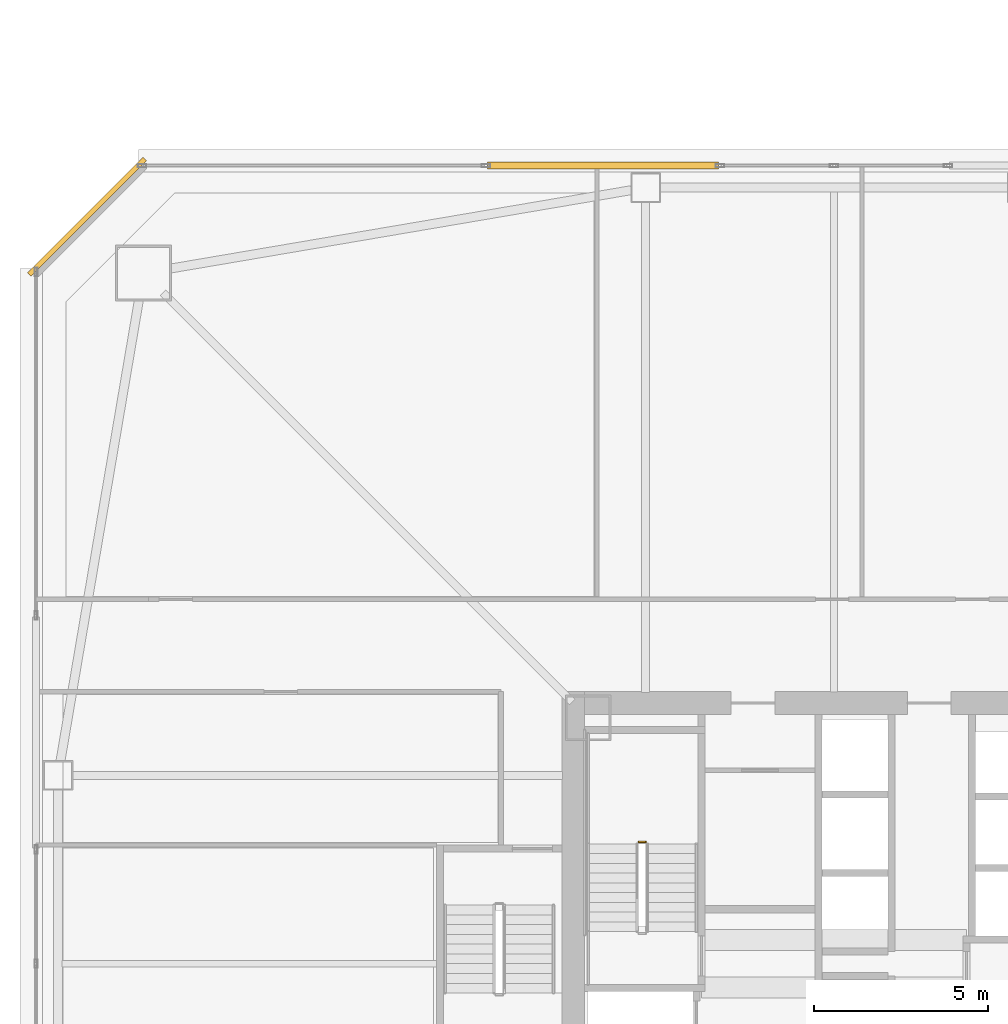
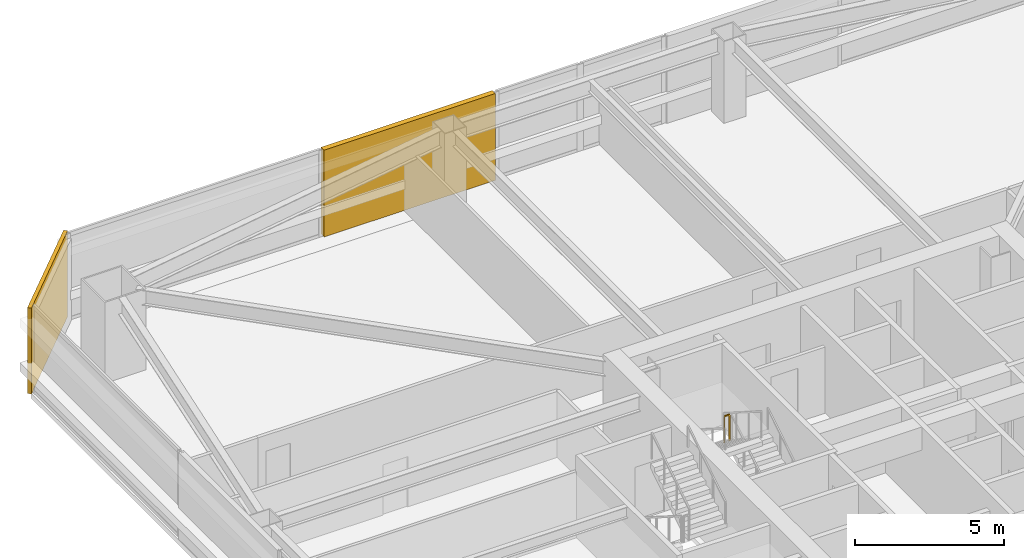
# One storey, part 41 of 45: 2 coverings, 1 railing.
"""IFC4 building model written with IfcOpenShell, lengths in metres."""

from ifc_helpers import new_model, si_unit, direction, frame, origin, origin_2d, place, context, subcontext, project, spatial, rectangle, extrude, material, layer, layer_set, type_object, element, save


model = new_model("IFC4")

# Units and contexts
model_context = context("Model", 3, precision=1e-05, world=origin(), true_north=direction((0.0, 1.0)))
body_context = subcontext(model_context, "Body", "Model", "MODEL_VIEW")
ifc_project = project(units=[si_unit("LENGTHUNIT", "METRE"), si_unit("AREAUNIT", "SQUARE_METRE"), si_unit("VOLUMEUNIT", "CUBIC_METRE"), si_unit("PLANEANGLEUNIT", "RADIAN"), si_unit("MASSUNIT", "GRAM", prefix="KILO")], contexts=[model_context])

# Site, building, storey
site_placement = place(None, origin())
site = spatial("IfcSite", under=ifc_project, at=site_placement, CompositionType="ELEMENT")
building_placement = place(site_placement, origin())
building = spatial("IfcBuilding", under=site, at=building_placement, Name="Tashvorn Skyway Center", CompositionType="ELEMENT")
storey_placement = place(building_placement, frame((0.0, 0.0, 35.25)))
storey = spatial("IfcBuildingStorey", under=building, at=storey_placement, Name="L08", CompositionType="ELEMENT", Elevation=35.25)

# Coverings
ifc_material_1 = material(Name="Precast concrete C40/50", Category="concrete")
ifc_layer_1 = layer(ifc_material_1, 0.199951171875)
ifc_layer_set_1 = layer_set([ifc_layer_1], Name="Precast concrete C40/50")
covering_type_1 = type_object("IfcCoveringType", Name="COV-BRACE-CLAD", PredefinedType="CLADDING", material=ifc_layer_set_1)
covering_1_placement = place(storey_placement, frame((35.373291015625, 54.8798828125, 0.0), z_axis=(0.0, 0.0, 1.0), x_axis=(1.0, 0.0, 0.0)))
element("IfcCovering", 1, at=covering_1_placement, inside=storey, type_object=covering_type_1, Name="Tower 1 L08 North Unitised Curtain Wall Mega-Brace Cladding Band 1", PredefinedType="CLADDING", context=body_context, shape_type="SweptSolid", body=[
    extrude(rectangle(XDim=6.626708984375, YDim=0.199951171875, at=origin_2d()), origin(), (0.0, 0.0, 1.0), 3.550048828125),
])
ifc_layer_2 = layer(ifc_material_1, 0.35009765625)
ifc_layer_set_2 = layer_set([ifc_layer_2], Name="Precast concrete C40/50")
covering_type_2 = type_object("IfcCoveringType", Name="COV-STONE-TRIM", PredefinedType="CLADDING", material=ifc_layer_set_2)
covering_2_placement = place(storey_placement, frame((20.580078125, 53.419921875, 0.02001953125), z_axis=(0.0, 0.0, 1.0), x_axis=(-0.707106781187, -0.707106781187, 0.0)))
element("IfcCovering", 2, at=covering_2_placement, inside=storey, type_object=covering_type_2, Name="Tower 1 L08 NW Mojave Limestone Corner Quoin", PredefinedType="CLADDING", context=body_context, shape_type="SweptSolid", body=[
    extrude(rectangle(XDim=4.685546875, YDim=0.139892578125, at=origin_2d()), origin(), (0.0, 0.0, 1.0), 3.510009765625),
])

# Railing
ifc_material_2 = material(Name="Painted galvanized steel S355", Category="steel")
railing_type = type_object("IfcRailingType", Name="RAIL-STGUARD-1100", PredefinedType="GUARDRAIL", material=ifc_material_2)
railing_placement = place(storey_placement, frame((36.60009765625, 35.489990234375, 1.77490234375)))
element("IfcRailing", 3, at=railing_placement, inside=storey, type_object=railing_type, Name="L08 ST-T1-1 stair guard 2", PredefinedType="GUARDRAIL", context=body_context, shape_type="SweptSolid", body=[
    extrude(rectangle(XDim=0.048095703125, YDim=0.048095703125, at=origin_2d()), frame((0.0, 0.0, 1.076171875), z_axis=(-1.0, 0.0, 0.0), x_axis=(0.0, -1.0, 0.0)), (0.0, 0.0, 1.0), 0.2001953125),
    extrude(rectangle(XDim=0.0419921875, YDim=0.0419921875, at=origin_2d()), origin(), (0.0, 0.0, 1.0), 1.052001953125),
    extrude(rectangle(XDim=0.0419921875, YDim=0.0419921875, at=origin_2d()), frame((-0.2001953125, 0.0, 0.0)), (0.0, 0.0, 1.0), 1.052001953125),
])

save(model, "model.ifc")
